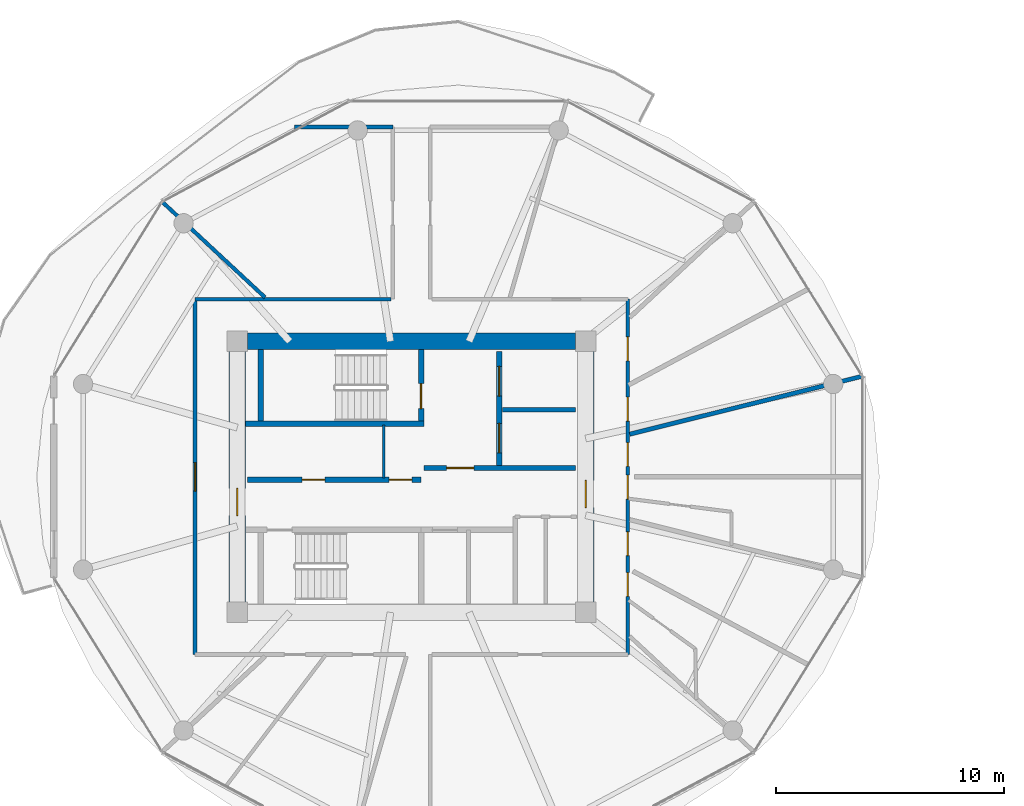
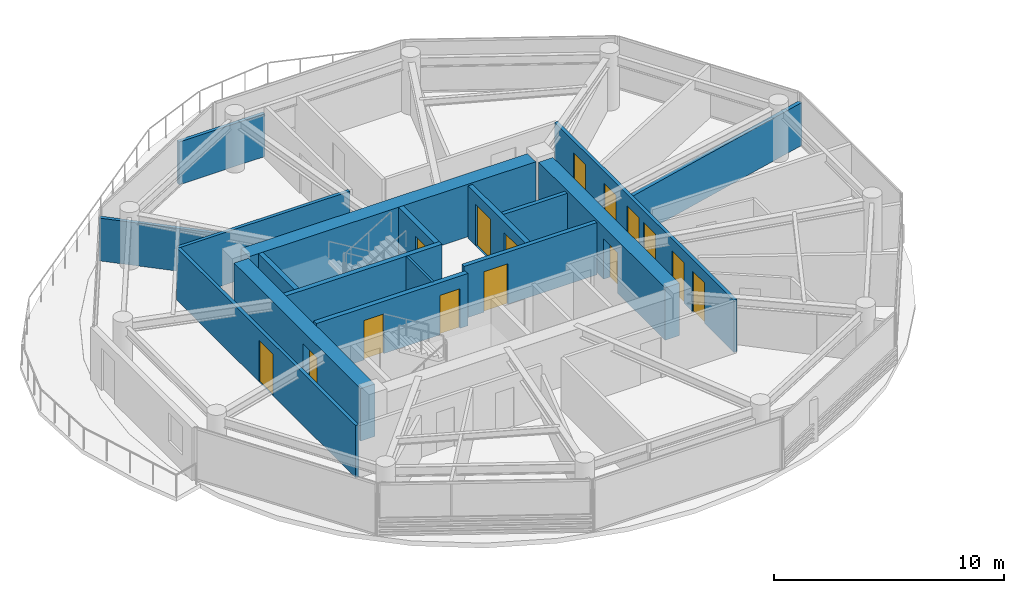
# One storey, part 14 of 24: 17 walls, 15 doors, 15 openings.
"""IFC4 building model written with IfcOpenShell, lengths in metres."""

from ifc_helpers import new_model, si_unit, direction, frame, frame_2d, origin, place, context, subcontext, project, spatial, rectangle, extrude, source, transform, mapped, material, layer, layer_set, type_object, type_shapes, element, fill, save


model = new_model("IFC4")

# Units and contexts
model_context = context("Model", 3, precision=1e-05, world=origin(), true_north=direction((0.0, 1.0)))
body_context = subcontext(model_context, "Body", "Model", "MODEL_VIEW")
ifc_project = project(units=[si_unit("LENGTHUNIT", "METRE"), si_unit("AREAUNIT", "SQUARE_METRE"), si_unit("VOLUMEUNIT", "CUBIC_METRE"), si_unit("PLANEANGLEUNIT", "RADIAN"), si_unit("MASSUNIT", "GRAM", prefix="KILO")], contexts=[model_context])

# Site, building, storey
site_placement = place(None, origin())
site = spatial("IfcSite", under=ifc_project, at=site_placement, CompositionType="ELEMENT")
building_placement = place(site_placement, origin())
building = spatial("IfcBuilding", under=site, at=building_placement, Name="Norrkilde Senior Care Towers", CompositionType="ELEMENT")
storey_placement = place(building_placement, frame((0.0, 0.0, 90.14990234375)))
storey = spatial("IfcBuildingStorey", under=building, at=storey_placement, Name="L27", CompositionType="ELEMENT", Elevation=90.14990234375)

# Wall
ifc_material_1 = material(Name="Concrete C60/75", Category="concrete")
ifc_layer_1 = layer(ifc_material_1, 0.719970703125)
ifc_layer_set_1 = layer_set([ifc_layer_1], Name="Concrete C60/75")
wall_type_1 = type_object("IfcWallType", Name="Core Shear Wall Z2 720", PredefinedType="SHEAR", material=ifc_layer_set_1)
shared_shape_1 = source(origin(), body_context, "Body", "SweptSolid", [
    extrude(rectangle(XDim=14.39990234375, YDim=0.719970703125, at=frame_2d((7.199951171875, 0.0))), origin(), (0.0, 0.0, 1.0), 2.7900390625),
])
wall_1_placement = place(storey_placement, frame((-35.199951171875, 5.949951171875, 0.0), z_axis=(0.0, 0.0, 1.0), x_axis=(1.0, 0.0, 0.0)))
element("IfcWall", 1, at=wall_1_placement, inside=storey, type_object=wall_type_1, Name="L27 Core W North Shear Wall", PredefinedType="SHEAR", context=body_context, shape_type="MappedRepresentation", body=[
    mapped(shared_shape_1, transform((0.0, 0.0, 0.0), x_axis=(1.0, 0.0, 0.0), y_axis=(0.0, 1.0, 0.0), z_axis=(0.0, 0.0, 1.0), scale=1.0)),
])

# Wall, opening, door
shared_shape_2 = source(origin(), body_context, "Body", "SweptSolid", [
    extrude(rectangle(XDim=11.0, YDim=0.719970703125, at=frame_2d((5.5, 0.0))), origin(), (0.0, 0.0, 1.0), 2.7900390625),
])
type_shapes(wall_type_1, [shared_shape_1, shared_shape_2])
wall_2_placement = place(storey_placement, frame((-35.64990234375, -5.5, 0.0), z_axis=(0.0, 0.0, 1.0), x_axis=(0.0, 1.0, 0.0)))
wall_2 = element("IfcWall", 2, at=wall_2_placement, inside=storey, type_object=wall_type_1, Name="L27 Core W West Shear Wall", PredefinedType="SHEAR", context=body_context, shape_type="MappedRepresentation", body=[
    mapped(shared_shape_2, transform((0.0, 0.0, 0.0), x_axis=(1.0, 0.0, 0.0), y_axis=(0.0, 1.0, 0.0), z_axis=(0.0, 0.0, 1.0), scale=1.0)),
])
opening_1_placement = place(wall_2_placement, frame((3.800048828125, 0.0, 0.0)))
opening_1 = element("IfcOpeningElement", 3, at=opening_1_placement, cuts=wall_2, Name="Opening D-04", PredefinedType="OPENING", context=body_context, shape_type="SweptSolid", body=[
    extrude(rectangle(XDim=1.199951171875, YDim=2.14990234375, at=frame_2d((0.60009765625, 1.074951171875))), frame((0.0, 0.369873046875, 0.0), z_axis=(0.0, -1.0, 0.0), x_axis=(1.0, 0.0, 0.0)), (0.0, 0.0, 1.0), 0.739990234375),
])
ifc_material_2 = material(Name="Galvanised Painted Steel", Category="steel")
door_type_1 = type_object("IfcDoorType", Name="Firefighting Lobby Fire Door 1200x2150", OperationType="NOTDEFINED", PredefinedType="DOOR", material=ifc_material_2)
shared_shape_3 = source(origin(), body_context, "Body", "SweptSolid", [
    extrude(rectangle(XDim=1.199951171875, YDim=2.14990234375, at=frame_2d((0.60009765625, 1.074951171875))), frame((0.0, 0.02490234375, 0.0), z_axis=(0.0, -1.0, 0.0), x_axis=(1.0, 0.0, 0.0)), (0.0, 0.0, 1.0), 0.050048828125),
])
type_shapes(door_type_1, [shared_shape_3])
door_1_placement = place(opening_1_placement, frame((1.199951171875, 0.0, 0.0), z_axis=(0.0, 0.0, 1.0), x_axis=(-1.0, 0.0, 0.0)))
door_1 = element("IfcDoor", 4, at=door_1_placement, inside=storey, type_object=door_type_1, Name="L27 Core W West Portal Door", OperationType="SINGLE_SWING_LEFT", OverallHeight=2.14990234375, OverallWidth=1.199951171875, PredefinedType="DOOR", context=body_context, shape_type="MappedRepresentation", body=[
    mapped(shared_shape_3, transform((0.0, 0.0, 0.0), x_axis=(1.0, 0.0, 0.0), y_axis=(0.0, 1.0, 0.0), z_axis=(0.0, 0.0, 1.0), scale=1.0)),
])
fill(opening_1, door_1)

wall_3_placement = place(storey_placement, frame((-20.35009765625, 5.5, 0.0), z_axis=(0.0, 0.0, 1.0), x_axis=(0.0, -1.0, 0.0)))
wall_3 = element("IfcWall", 5, at=wall_3_placement, inside=storey, type_object=wall_type_1, Name="L27 Core W East Shear Wall", PredefinedType="SHEAR", context=body_context, shape_type="MappedRepresentation", body=[
    mapped(shared_shape_2, transform((0.0, 0.0, 0.0), x_axis=(1.0, 0.0, 0.0), y_axis=(0.0, 1.0, 0.0), z_axis=(0.0, 0.0, 1.0), scale=1.0)),
])
opening_2_placement = place(wall_3_placement, frame((5.64990234375, 0.0, 0.0)))
opening_2 = element("IfcOpeningElement", 6, at=opening_2_placement, cuts=wall_3, Name="Opening D-04", PredefinedType="OPENING", context=body_context, shape_type="SweptSolid", body=[
    extrude(rectangle(XDim=1.199951171875, YDim=2.14990234375, at=frame_2d((0.60009765625, 1.074951171875))), frame((0.0, 0.369873046875, 0.0), z_axis=(0.0, -1.0, 0.0), x_axis=(1.0, 0.0, 0.0)), (0.0, 0.0, 1.0), 0.739990234375),
])
door_2_placement = place(opening_2_placement, frame((1.199951171875, 0.0, 0.0), z_axis=(0.0, 0.0, 1.0), x_axis=(-1.0, 0.0, 0.0)))
door_2 = element("IfcDoor", 7, at=door_2_placement, inside=storey, type_object=door_type_1, Name="L27 Core W East Portal Door", OperationType="SINGLE_SWING_RIGHT", OverallHeight=2.14990234375, OverallWidth=1.199951171875, PredefinedType="DOOR", context=body_context, shape_type="MappedRepresentation", body=[
    mapped(shared_shape_3, transform((0.0, 0.0, 0.0), x_axis=(1.0, 0.0, 0.0), y_axis=(0.0, 1.0, 0.0), z_axis=(0.0, 0.0, 1.0), scale=1.0)),
])
fill(opening_2, door_2)

# Wall, openings, doors
ifc_material_3 = material(Name="Concrete C45/55", Category="concrete")
ifc_layer_2 = layer(ifc_material_3, 0.239990234375)
ifc_layer_set_2 = layer_set([ifc_layer_2], Name="Concrete C45/55")
wall_type_2 = type_object("IfcWallType", Name="Lift and Plant Rated Enclosure Partition 240", PredefinedType="PARTITIONING", material=ifc_layer_set_2)
shared_shape_4 = source(origin(), body_context, "Body", "SweptSolid", [
    extrude(rectangle(XDim=5.0, YDim=0.239990234375, at=frame_2d((2.5, 0.0))), origin(), (0.0, 0.0, 1.0), 2.775146484375),
])
wall_4_placement = place(storey_placement, frame((-24.139892578125, 0.5, 0.0), z_axis=(0.0, 0.0, 1.0), x_axis=(0.0, 1.0, 0.0)))
wall_4 = element("IfcWall", 8, at=wall_4_placement, inside=storey, type_object=wall_type_2, Name="WL-INT-L27-W-FFLE", PredefinedType="PARTITIONING", context=body_context, shape_type="MappedRepresentation", body=[
    mapped(shared_shape_4, transform((0.0, 0.0, 0.0), x_axis=(1.0, 0.0, 0.0), y_axis=(0.0, 1.0, 0.0), z_axis=(0.0, 0.0, 1.0), scale=1.0)),
])
opening_3_placement = place(wall_4_placement, frame((3.050048828125, 0.0, 0.0)))
opening_3 = element("IfcOpeningElement", 9, at=opening_3_placement, cuts=wall_4, Name="Opening LD-02", PredefinedType="OPENING", context=body_context, shape_type="SweptSolid", body=[
    extrude(rectangle(XDim=1.300048828125, YDim=2.199951171875, at=frame_2d((0.64990234375, 1.10009765625))), frame((0.0, 0.1298828125, 0.0), z_axis=(0.0, -1.0, 0.0), x_axis=(1.0, 0.0, 0.0)), (0.0, 0.0, 1.0), 0.260009765625),
])
opening_4_placement = place(wall_4_placement, frame((0.550048828125, 0.0, 0.0)))
opening_4 = element("IfcOpeningElement", 10, at=opening_4_placement, cuts=wall_4, Name="Opening LD-02", PredefinedType="OPENING", context=body_context, shape_type="SweptSolid", body=[
    extrude(rectangle(XDim=1.300048828125, YDim=2.199951171875, at=frame_2d((0.64990234375, 1.10009765625))), frame((0.0, 0.1298828125, 0.0), z_axis=(0.0, -1.0, 0.0), x_axis=(1.0, 0.0, 0.0)), (0.0, 0.0, 1.0), 0.260009765625),
])
ifc_material_4 = material(Name="Stainless Steel", Category="steel")
door_type_2 = type_object("IfcDoorType", Name="Stretcher and FFL Landing Sliding Door 1300x2200", OperationType="NOTDEFINED", PredefinedType="DOOR", material=ifc_material_4)
shared_shape_5 = source(origin(), body_context, "Body", "SweptSolid", [
    extrude(rectangle(XDim=1.300048828125, YDim=2.199951171875, at=frame_2d((0.64990234375, 1.10009765625))), frame((0.0, 0.02490234375, 0.0), z_axis=(0.0, -1.0, 0.0), x_axis=(1.0, 0.0, 0.0)), (0.0, 0.0, 1.0), 0.050048828125),
])
type_shapes(door_type_2, [shared_shape_5])
door_3_placement = place(opening_3_placement, origin())
door_3 = element("IfcDoor", 11, at=door_3_placement, inside=storey, type_object=door_type_2, Name="L27 Firefighting Lift W1 Landing Door", OperationType="SLIDING_TO_LEFT", OverallHeight=2.199951171875, OverallWidth=1.300048828125, PredefinedType="DOOR", context=body_context, shape_type="MappedRepresentation", body=[
    mapped(shared_shape_5, transform((0.0, 0.0, 0.0), x_axis=(1.0, 0.0, 0.0), y_axis=(0.0, 1.0, 0.0), z_axis=(0.0, 0.0, 1.0), scale=1.0)),
])
fill(opening_3, door_3)
door_4_placement = place(opening_4_placement, origin())
door_4 = element("IfcDoor", 12, at=door_4_placement, inside=storey, type_object=door_type_2, Name="L27 Stretcher Lift W1 Landing Door", OperationType="SLIDING_TO_RIGHT", OverallHeight=2.199951171875, OverallWidth=1.300048828125, PredefinedType="DOOR", context=body_context, shape_type="MappedRepresentation", body=[
    mapped(shared_shape_5, transform((0.0, 0.0, 0.0), x_axis=(1.0, 0.0, 0.0), y_axis=(0.0, 1.0, 0.0), z_axis=(0.0, 0.0, 1.0), scale=1.0)),
])
fill(opening_4, door_4)

# Wall
ifc_layer_3 = layer(ifc_material_3, 0.199951171875)
ifc_layer_set_3 = layer_set([ifc_layer_3], Name="Concrete C45/55")
wall_type_3 = type_object("IfcWallType", Name="Shaft Division and Plant Partition 200", PredefinedType="PARTITIONING", material=ifc_layer_set_3)
shared_shape_6 = source(origin(), body_context, "Body", "SweptSolid", [
    extrude(rectangle(XDim=3.199951171875, YDim=0.199951171875, at=frame_2d((1.60009765625, 0.0))), origin(), (0.0, 0.0, 1.0), 2.775146484375),
])
type_shapes(wall_type_3, [shared_shape_6])
wall_5_placement = place(storey_placement, frame((-24.0, 2.949951171875, 0.0), z_axis=(0.0, 0.0, 1.0), x_axis=(1.0, 0.0, 0.0)))
element("IfcWall", 13, at=wall_5_placement, inside=storey, type_object=wall_type_3, Name="WL-INT-L27-W-FFLDIV", PredefinedType="PARTITIONING", context=body_context, shape_type="MappedRepresentation", body=[
    mapped(shared_shape_6, transform((0.0, 0.0, 0.0), x_axis=(1.0, 0.0, 0.0), y_axis=(0.0, 1.0, 0.0), z_axis=(0.0, 0.0, 1.0), scale=1.0)),
])

# Wall, opening, door
ifc_layer_4 = layer(ifc_material_3, 0.2099609375)
ifc_layer_set_4 = layer_set([ifc_layer_4], Name="Concrete C45/55")
wall_type_4 = type_object("IfcWallType", Name="Firefighting Lobby Wall 210", PredefinedType="PARTITIONING", material=ifc_layer_set_4)
shared_shape_7 = source(origin(), body_context, "Body", "SweptSolid", [
    extrude(rectangle(XDim=6.659912109375, YDim=0.2099609375, at=frame_2d((3.330078125, 0.0))), origin(), (0.0, 0.0, 1.0), 2.775146484375),
])
type_shapes(wall_type_4, [shared_shape_7])
wall_6_placement = place(storey_placement, frame((-27.4599609375, 0.389892578125, 0.0), z_axis=(0.0, 0.0, 1.0), x_axis=(1.0, 0.0, 0.0)))
wall_6 = element("IfcWall", 14, at=wall_6_placement, inside=storey, type_object=wall_type_4, Name="WL-INT-L27-W-FFLS", PredefinedType="PARTITIONING", context=body_context, shape_type="MappedRepresentation", body=[
    mapped(shared_shape_7, transform((0.0, 0.0, 0.0), x_axis=(1.0, 0.0, 0.0), y_axis=(0.0, 1.0, 0.0), z_axis=(0.0, 0.0, 1.0), scale=1.0)),
])
opening_5_placement = place(wall_6_placement, frame((1.0, 0.0, 0.0)))
opening_5 = element("IfcOpeningElement", 15, at=opening_5_placement, cuts=wall_6, Name="Opening D-04", PredefinedType="OPENING", context=body_context, shape_type="SweptSolid", body=[
    extrude(rectangle(XDim=1.199951171875, YDim=2.14990234375, at=frame_2d((0.60009765625, 1.074951171875))), frame((0.0, 0.114990234375, 0.0), z_axis=(0.0, -1.0, 0.0), x_axis=(1.0, 0.0, 0.0)), (0.0, 0.0, 1.0), 0.22998046875),
])
door_5_placement = place(opening_5_placement, frame((1.199951171875, 0.0, 0.0), z_axis=(0.0, 0.0, 1.0), x_axis=(-1.0, 0.0, 0.0)))
door_5 = element("IfcDoor", 16, at=door_5_placement, inside=storey, type_object=door_type_1, Name="L27 Firefighting Lobby W Door", OperationType="SINGLE_SWING_LEFT", OverallHeight=2.14990234375, OverallWidth=1.199951171875, PredefinedType="DOOR", context=body_context, shape_type="MappedRepresentation", body=[
    mapped(shared_shape_3, transform((0.0, 0.0, 0.0), x_axis=(1.0, 0.0, 0.0), y_axis=(0.0, 1.0, 0.0), z_axis=(0.0, 0.0, 1.0), scale=1.0)),
])
fill(opening_5, door_5)

# Wall, openings, doors
shared_shape_8 = source(origin(), body_context, "Body", "SweptSolid", [
    extrude(rectangle(XDim=7.619873046875, YDim=0.239990234375, at=frame_2d((3.81005859375, 0.0))), origin(), (0.0, 0.0, 1.0), 2.775146484375),
])
type_shapes(wall_type_2, [shared_shape_4, shared_shape_8])
wall_7_placement = place(storey_placement, frame((-35.199951171875, -0.1298828125, 0.0), z_axis=(0.0, 0.0, 1.0), x_axis=(1.0, 0.0, 0.0)))
wall_7 = element("IfcWall", 17, at=wall_7_placement, inside=storey, type_object=wall_type_2, Name="WL-INT-L27-W-PKAS", PredefinedType="PARTITIONING", context=body_context, shape_type="MappedRepresentation", body=[
    mapped(shared_shape_8, transform((0.0, 0.0, 0.0), x_axis=(1.0, 0.0, 0.0), y_axis=(0.0, 1.0, 0.0), z_axis=(0.0, 0.0, 1.0), scale=1.0)),
])
opening_6_placement = place(wall_7_placement, frame((6.219970703125, 0.0, 0.0)))
opening_6 = element("IfcOpeningElement", 18, at=opening_6_placement, cuts=wall_7, Name="Opening D-10", PredefinedType="OPENING", context=body_context, shape_type="SweptSolid", body=[
    extrude(rectangle(XDim=1.0, YDim=2.10009765625, at=frame_2d((0.5, 1.050048828125))), frame((0.0, 0.1298828125, 0.0), z_axis=(0.0, -1.0, 0.0), x_axis=(1.0, 0.0, 0.0)), (0.0, 0.0, 1.0), 0.260009765625),
])
opening_7_placement = place(wall_7_placement, frame((2.39990234375, 0.0, 0.0)))
opening_7 = element("IfcOpeningElement", 19, at=opening_7_placement, cuts=wall_7, Name="Opening D-10", PredefinedType="OPENING", context=body_context, shape_type="SweptSolid", body=[
    extrude(rectangle(XDim=1.0, YDim=2.10009765625, at=frame_2d((0.5, 1.050048828125))), frame((0.0, 0.1298828125, 0.0), z_axis=(0.0, -1.0, 0.0), x_axis=(1.0, 0.0, 0.0)), (0.0, 0.0, 1.0), 0.260009765625),
])
door_type_3 = type_object("IfcDoorType", Name="Plant and Riser Rated Door 1000x2100", OperationType="NOTDEFINED", PredefinedType="DOOR", material=ifc_material_2)
shared_shape_9 = source(origin(), body_context, "Body", "SweptSolid", [
    extrude(rectangle(XDim=1.0, YDim=2.10009765625, at=frame_2d((0.5, 1.050048828125))), frame((0.0, 0.02490234375, 0.0), z_axis=(0.0, -1.0, 0.0), x_axis=(1.0, 0.0, 0.0)), (0.0, 0.0, 1.0), 0.050048828125),
])
type_shapes(door_type_3, [shared_shape_9])
door_6_placement = place(opening_6_placement, frame((1.0, 0.0, 0.0), z_axis=(0.0, 0.0, 1.0), x_axis=(-1.0, 0.0, 0.0)))
door_6 = element("IfcDoor", 20, at=door_6_placement, inside=storey, type_object=door_type_3, Name="L27 Electrical Riser W Door", OperationType="SINGLE_SWING_LEFT", OverallHeight=2.10009765625, OverallWidth=1.0, PredefinedType="DOOR", context=body_context, shape_type="MappedRepresentation", body=[
    mapped(shared_shape_9, transform((0.0, 0.0, 0.0), x_axis=(1.0, 0.0, 0.0), y_axis=(0.0, 1.0, 0.0), z_axis=(0.0, 0.0, 1.0), scale=1.0)),
])
fill(opening_6, door_6)
door_7_placement = place(opening_7_placement, frame((1.0, 0.0, 0.0), z_axis=(0.0, 0.0, 1.0), x_axis=(-1.0, 0.0, 0.0)))
door_7 = element("IfcDoor", 21, at=door_7_placement, inside=storey, type_object=door_type_3, Name="L27 Clean Supply Store W Door", OperationType="SINGLE_SWING_LEFT", OverallHeight=2.10009765625, OverallWidth=1.0, PredefinedType="DOOR", context=body_context, shape_type="MappedRepresentation", body=[
    mapped(shared_shape_9, transform((0.0, 0.0, 0.0), x_axis=(1.0, 0.0, 0.0), y_axis=(0.0, 1.0, 0.0), z_axis=(0.0, 0.0, 1.0), scale=1.0)),
])
fill(opening_7, door_7)

# Wall
ifc_material_5 = material(Name="Gypsum Acoustic Board")
ifc_layer_5 = layer(ifc_material_5, 0.114990234375)
ifc_layer_set_5 = layer_set([ifc_layer_5], Name="Gypsum Acoustic Board")
wall_type_5 = type_object("IfcWallType", Name="Internal Room Partition 115", PredefinedType="PARTITIONING", material=ifc_layer_set_5)
shared_shape_10 = source(origin(), body_context, "Body", "SweptSolid", [
    extrude(rectangle(XDim=2.330078125, YDim=0.114990234375, at=frame_2d((1.1650390625, 0.0))), origin(), (0.0, 0.0, 1.0), 2.775146484375),
])
type_shapes(wall_type_5, [shared_shape_10])
wall_8_placement = place(storey_placement, frame((-29.2099609375, -0.050048828125, 0.0), z_axis=(0.0, 0.0, 1.0), x_axis=(0.0, 1.0, 0.0)))
element("IfcWall", 22, at=wall_8_placement, inside=storey, type_object=wall_type_5, Name="WL-INT-L27-W-RISW", PredefinedType="PARTITIONING", context=body_context, shape_type="MappedRepresentation", body=[
    mapped(shared_shape_10, transform((0.0, 0.0, 0.0), x_axis=(1.0, 0.0, 0.0), y_axis=(0.0, 1.0, 0.0), z_axis=(0.0, 0.0, 1.0), scale=1.0)),
])

# Wall, opening, door
ifc_layer_6 = layer(ifc_material_5, 0.1650390625)
ifc_layer_set_6 = layer_set([ifc_layer_6], Name="Gypsum Acoustic Board")
wall_type_6 = type_object("IfcWallType", Name="Corridor Rated Partition 165", PredefinedType="PARTITIONING", material=ifc_layer_set_6)
shared_shape_11 = source(origin(), body_context, "Body", "SweptSolid", [
    extrude(rectangle(XDim=15.60009765625, YDim=0.1650390625, at=frame_2d((7.800048828125, 0.0))), origin(), (0.0, 0.0, 1.0), 2.775146484375),
])
wall_9_placement = place(storey_placement, frame((-37.5, -7.800048828125, 0.0), z_axis=(0.0, 0.0, 1.0), x_axis=(0.0, 1.0, 0.0)))
wall_9 = element("IfcWall", 23, at=wall_9_placement, inside=storey, type_object=wall_type_6, Name="WL-INT-L27-W-CRW-W-0", PredefinedType="PARTITIONING", context=body_context, shape_type="MappedRepresentation", body=[
    mapped(shared_shape_11, transform((0.0, 0.0, 0.0), x_axis=(1.0, 0.0, 0.0), y_axis=(0.0, 1.0, 0.0), z_axis=(0.0, 0.0, 1.0), scale=1.0)),
])
opening_8_placement = place(wall_9_placement, frame((7.175048828125, 0.0, 0.0)))
opening_8 = element("IfcOpeningElement", 24, at=opening_8_placement, cuts=wall_9, Name="Opening D-05", PredefinedType="OPENING", context=body_context, shape_type="SweptSolid", body=[
    extrude(rectangle(XDim=1.25, YDim=2.199951171875, at=frame_2d((0.625, 1.10009765625))), frame((0.0, 0.092529296875, 0.0), z_axis=(0.0, -1.0, 0.0), x_axis=(1.0, 0.0, 0.0)), (0.0, 0.0, 1.0), 0.18505859375),
])
ifc_material_6 = material(Name="Nordic Ash Timber", Category="wood")
door_type_4 = type_object("IfcDoorType", Name="Care Bedroom Bariatric Door 1250x2200", OperationType="NOTDEFINED", PredefinedType="DOOR", material=ifc_material_6)
shared_shape_12 = source(origin(), body_context, "Body", "SweptSolid", [
    extrude(rectangle(XDim=1.25, YDim=2.199951171875, at=frame_2d((0.625, 1.10009765625))), frame((0.0, 0.02490234375, 0.0), z_axis=(0.0, -1.0, 0.0), x_axis=(1.0, 0.0, 0.0)), (0.0, 0.0, 1.0), 0.050048828125),
])
type_shapes(door_type_4, [shared_shape_12])
door_8_placement = place(opening_8_placement, frame((1.25, 0.0, 0.0), z_axis=(0.0, 0.0, 1.0), x_axis=(-1.0, 0.0, 0.0)))
door_8 = element("IfcDoor", 25, at=door_8_placement, inside=storey, type_object=door_type_4, Name="L27 Resident Therapeutic Day Lounge Door", OperationType="SINGLE_SWING_LEFT", OverallHeight=2.199951171875, OverallWidth=1.25, PredefinedType="DOOR", context=body_context, shape_type="MappedRepresentation", body=[
    mapped(shared_shape_12, transform((0.0, 0.0, 0.0), x_axis=(1.0, 0.0, 0.0), y_axis=(0.0, 1.0, 0.0), z_axis=(0.0, 0.0, 1.0), scale=1.0)),
])
fill(opening_8, door_8)

# Wall, openings, doors
wall_10_placement = place(storey_placement, frame((-18.5, 7.800048828125, 0.0), z_axis=(0.0, 0.0, 1.0), x_axis=(0.0, -1.0, 0.0)))
wall_10 = element("IfcWall", 26, at=wall_10_placement, inside=storey, type_object=wall_type_6, Name="WL-INT-L27-W-CRW-E-0", PredefinedType="PARTITIONING", context=body_context, shape_type="MappedRepresentation", body=[
    mapped(shared_shape_11, transform((0.0, 0.0, 0.0), x_axis=(1.0, 0.0, 0.0), y_axis=(0.0, 1.0, 0.0), z_axis=(0.0, 0.0, 1.0), scale=1.0)),
])
opening_9_placement = place(wall_10_placement, frame((12.001953125, 0.0, 0.0)))
opening_9 = element("IfcOpeningElement", 27, at=opening_9_placement, cuts=wall_10, Name="Opening D-06", PredefinedType="OPENING", context=body_context, shape_type="SweptSolid", body=[
    extrude(rectangle(XDim=1.050048828125, YDim=2.14990234375, at=frame_2d((0.52490234375, 1.074951171875))), frame((0.0, 0.092529296875, 0.0), z_axis=(0.0, -1.0, 0.0), x_axis=(1.0, 0.0, 0.0)), (0.0, 0.0, 1.0), 0.18505859375),
])
opening_10_placement = place(wall_10_placement, frame((10.210693359375, 0.0, 0.0)))
opening_10 = element("IfcOpeningElement", 28, at=opening_10_placement, cuts=wall_10, Name="Opening D-06", PredefinedType="OPENING", context=body_context, shape_type="SweptSolid", body=[
    extrude(rectangle(XDim=1.050048828125, YDim=2.14990234375, at=frame_2d((0.52490234375, 1.074951171875))), frame((0.0, 0.092529296875, 0.0), z_axis=(0.0, -1.0, 0.0), x_axis=(1.0, 0.0, 0.0)), (0.0, 0.0, 1.0), 0.18505859375),
])
opening_11_placement = place(wall_10_placement, frame((7.721923828125, 0.0, 0.0)))
opening_11 = element("IfcOpeningElement", 29, at=opening_11_placement, cuts=wall_10, Name="Opening D-06", PredefinedType="OPENING", context=body_context, shape_type="SweptSolid", body=[
    extrude(rectangle(XDim=1.050048828125, YDim=2.14990234375, at=frame_2d((0.52490234375, 1.074951171875))), frame((0.0, 0.092529296875, 0.0), z_axis=(0.0, -1.0, 0.0), x_axis=(1.0, 0.0, 0.0)), (0.0, 0.0, 1.0), 0.18505859375),
])
opening_12_placement = place(wall_10_placement, frame((6.290771484375, 0.0, 0.0)))
opening_12 = element("IfcOpeningElement", 30, at=opening_12_placement, cuts=wall_10, Name="Opening D-06", PredefinedType="OPENING", context=body_context, shape_type="SweptSolid", body=[
    extrude(rectangle(XDim=1.050048828125, YDim=2.14990234375, at=frame_2d((0.52490234375, 1.074951171875))), frame((0.0, 0.092529296875, 0.0), z_axis=(0.0, -1.0, 0.0), x_axis=(1.0, 0.0, 0.0)), (0.0, 0.0, 1.0), 0.18505859375),
])
opening_13_placement = place(wall_10_placement, frame((4.296142578125, 0.0, 0.0)))
opening_13 = element("IfcOpeningElement", 31, at=opening_13_placement, cuts=wall_10, Name="Opening D-06", PredefinedType="OPENING", context=body_context, shape_type="SweptSolid", body=[
    extrude(rectangle(XDim=1.050048828125, YDim=2.14990234375, at=frame_2d((0.52490234375, 1.074951171875))), frame((0.0, 0.092529296875, 0.0), z_axis=(0.0, -1.0, 0.0), x_axis=(1.0, 0.0, 0.0)), (0.0, 0.0, 1.0), 0.18505859375),
])
opening_14_placement = place(wall_10_placement, frame((1.654052734375, 0.0, 0.0)))
opening_14 = element("IfcOpeningElement", 32, at=opening_14_placement, cuts=wall_10, Name="Opening D-06", PredefinedType="OPENING", context=body_context, shape_type="SweptSolid", body=[
    extrude(rectangle(XDim=1.050048828125, YDim=2.14990234375, at=frame_2d((0.52490234375, 1.074951171875))), frame((0.0, 0.092529296875, 0.0), z_axis=(0.0, -1.0, 0.0), x_axis=(1.0, 0.0, 0.0)), (0.0, 0.0, 1.0), 0.18505859375),
])
door_type_5 = type_object("IfcDoorType", Name="Apartment Entrance Fire Door 1050x2150", OperationType="NOTDEFINED", PredefinedType="DOOR", material=ifc_material_6)
shared_shape_13 = source(origin(), body_context, "Body", "SweptSolid", [
    extrude(rectangle(XDim=1.050048828125, YDim=2.14990234375, at=frame_2d((0.52490234375, 1.074951171875))), frame((0.0, 0.02490234375, 0.0), z_axis=(0.0, -1.0, 0.0), x_axis=(1.0, 0.0, 0.0)), (0.0, 0.0, 1.0), 0.050048828125),
])
type_shapes(door_type_5, [shared_shape_13])
door_9_placement = place(opening_9_placement, frame((1.050048828125, 0.0, 0.0), z_axis=(0.0, 0.0, 1.0), x_axis=(-1.0, 0.0, 0.0)))
door_9 = element("IfcDoor", 33, at=door_9_placement, inside=storey, type_object=door_type_5, Name="L27 Care Suite 2710A Entrance Door", OperationType="SINGLE_SWING_LEFT", OverallHeight=2.14990234375, OverallWidth=1.050048828125, PredefinedType="DOOR", context=body_context, shape_type="MappedRepresentation", body=[
    mapped(shared_shape_13, transform((0.0, 0.0, 0.0), x_axis=(1.0, 0.0, 0.0), y_axis=(0.0, 1.0, 0.0), z_axis=(0.0, 0.0, 1.0), scale=1.0)),
])
fill(opening_9, door_9)
door_10_placement = place(opening_10_placement, frame((1.050048828125, 0.0, 0.0), z_axis=(0.0, 0.0, 1.0), x_axis=(-1.0, 0.0, 0.0)))
door_10 = element("IfcDoor", 34, at=door_10_placement, inside=storey, type_object=door_type_5, Name="L27 Therapy Day Lounge 10 Door", OperationType="SINGLE_SWING_RIGHT", OverallHeight=2.14990234375, OverallWidth=1.050048828125, PredefinedType="DOOR", context=body_context, shape_type="MappedRepresentation", body=[
    mapped(shared_shape_13, transform((0.0, 0.0, 0.0), x_axis=(1.0, 0.0, 0.0), y_axis=(0.0, 1.0, 0.0), z_axis=(0.0, 0.0, 1.0), scale=1.0)),
])
fill(opening_10, door_10)
door_11_placement = place(opening_11_placement, frame((1.050048828125, 0.0, 0.0), z_axis=(0.0, 0.0, 1.0), x_axis=(-1.0, 0.0, 0.0)))
door_11 = element("IfcDoor", 35, at=door_11_placement, inside=storey, type_object=door_type_5, Name="L27 Care Suite 2711A Entrance Door", OperationType="SINGLE_SWING_RIGHT", OverallHeight=2.14990234375, OverallWidth=1.050048828125, PredefinedType="DOOR", context=body_context, shape_type="MappedRepresentation", body=[
    mapped(shared_shape_13, transform((0.0, 0.0, 0.0), x_axis=(1.0, 0.0, 0.0), y_axis=(0.0, 1.0, 0.0), z_axis=(0.0, 0.0, 1.0), scale=1.0)),
])
fill(opening_11, door_11)
door_12_placement = place(opening_12_placement, frame((1.050048828125, 0.0, 0.0), z_axis=(0.0, 0.0, 1.0), x_axis=(-1.0, 0.0, 0.0)))
door_12 = element("IfcDoor", 36, at=door_12_placement, inside=storey, type_object=door_type_5, Name="L27 Therapy Day Lounge 11 Door", OperationType="SINGLE_SWING_LEFT", OverallHeight=2.14990234375, OverallWidth=1.050048828125, PredefinedType="DOOR", context=body_context, shape_type="MappedRepresentation", body=[
    mapped(shared_shape_13, transform((0.0, 0.0, 0.0), x_axis=(1.0, 0.0, 0.0), y_axis=(0.0, 1.0, 0.0), z_axis=(0.0, 0.0, 1.0), scale=1.0)),
])
fill(opening_12, door_12)
door_13_placement = place(opening_13_placement, frame((1.050048828125, 0.0, 0.0), z_axis=(0.0, 0.0, 1.0), x_axis=(-1.0, 0.0, 0.0)))
door_13 = element("IfcDoor", 37, at=door_13_placement, inside=storey, type_object=door_type_5, Name="L27 Physiotherapy Clinic 0A Door", OperationType="SINGLE_SWING_LEFT", OverallHeight=2.14990234375, OverallWidth=1.050048828125, PredefinedType="DOOR", context=body_context, shape_type="MappedRepresentation", body=[
    mapped(shared_shape_13, transform((0.0, 0.0, 0.0), x_axis=(1.0, 0.0, 0.0), y_axis=(0.0, 1.0, 0.0), z_axis=(0.0, 0.0, 1.0), scale=1.0)),
])
fill(opening_13, door_13)
door_14_placement = place(opening_14_placement, frame((1.050048828125, 0.0, 0.0), z_axis=(0.0, 0.0, 1.0), x_axis=(-1.0, 0.0, 0.0)))
door_14 = element("IfcDoor", 38, at=door_14_placement, inside=storey, type_object=door_type_5, Name="L27 Assessment Clinic 0B Door", OperationType="SINGLE_SWING_RIGHT", OverallHeight=2.14990234375, OverallWidth=1.050048828125, PredefinedType="DOOR", context=body_context, shape_type="MappedRepresentation", body=[
    mapped(shared_shape_13, transform((0.0, 0.0, 0.0), x_axis=(1.0, 0.0, 0.0), y_axis=(0.0, 1.0, 0.0), z_axis=(0.0, 0.0, 1.0), scale=1.0)),
])
fill(opening_14, door_14)

# Walls
ifc_layer_7 = layer(ifc_material_3, 0.239990234375)
ifc_layer_set_7 = layer_set([ifc_layer_7], Name="Concrete C45/55")
wall_type_7 = type_object("IfcWallType", Name="Shaft and Stair Enclosure Wall 240", PredefinedType="PARTITIONING", material=ifc_layer_set_7)
shared_shape_14 = source(origin(), body_context, "Body", "SweptSolid", [
    extrude(rectangle(XDim=7.830078125, YDim=0.239990234375, at=frame_2d((3.9150390625, 0.0))), origin(), (0.0, 0.0, 1.0), 2.7900390625),
])
wall_11_placement = place(storey_placement, frame((-35.2900390625, 2.330078125, 0.0), z_axis=(0.0, 0.0, 1.0), x_axis=(1.0, 0.0, 0.0)))
element("IfcWall", 39, at=wall_11_placement, inside=storey, type_object=wall_type_7, Name="WL-INT-L27-W-ST1S", PredefinedType="PARTITIONING", context=body_context, shape_type="MappedRepresentation", body=[
    mapped(shared_shape_14, transform((0.0, 0.0, 0.0), x_axis=(1.0, 0.0, 0.0), y_axis=(0.0, 1.0, 0.0), z_axis=(0.0, 0.0, 1.0), scale=1.0)),
])
shared_shape_15 = source(origin(), body_context, "Body", "SweptSolid", [
    extrude(rectangle(XDim=3.14013671875, YDim=0.239990234375, at=frame_2d((1.570068359375, 0.0))), origin(), (0.0, 0.0, 1.0), 2.7900390625),
])
type_shapes(wall_type_7, [shared_shape_14, shared_shape_15])
wall_12_placement = place(storey_placement, frame((-34.6201171875, 2.449951171875, 0.0), z_axis=(0.0, 0.0, 1.0), x_axis=(0.0, 1.0, 0.0)))
element("IfcWall", 40, at=wall_12_placement, inside=storey, type_object=wall_type_7, Name="WL-INT-L27-W-ST1W", PredefinedType="PARTITIONING", context=body_context, shape_type="MappedRepresentation", body=[
    mapped(shared_shape_15, transform((0.0, 0.0, 0.0), x_axis=(1.0, 0.0, 0.0), y_axis=(0.0, 1.0, 0.0), z_axis=(0.0, 0.0, 1.0), scale=1.0)),
])

# Wall, opening, door
wall_13_placement = place(storey_placement, frame((-27.580078125, 2.449951171875, 0.0), z_axis=(0.0, 0.0, 1.0), x_axis=(0.0, 1.0, 0.0)))
wall_13 = element("IfcWall", 41, at=wall_13_placement, inside=storey, type_object=wall_type_7, Name="WL-INT-L27-W-ST1E", PredefinedType="PARTITIONING", context=body_context, shape_type="MappedRepresentation", body=[
    mapped(shared_shape_15, transform((0.0, 0.0, 0.0), x_axis=(1.0, 0.0, 0.0), y_axis=(0.0, 1.0, 0.0), z_axis=(0.0, 0.0, 1.0), scale=1.0)),
])
opening_15_placement = place(wall_13_placement, frame((0.550048828125, 0.0, 0.0)))
opening_15 = element("IfcOpeningElement", 42, at=opening_15_placement, cuts=wall_13, Name="Opening D-03", PredefinedType="OPENING", context=body_context, shape_type="SweptSolid", body=[
    extrude(rectangle(XDim=1.10009765625, YDim=2.14990234375, at=frame_2d((0.550048828125, 1.074951171875))), frame((0.0, 0.1298828125, 0.0), z_axis=(0.0, -1.0, 0.0), x_axis=(1.0, 0.0, 0.0)), (0.0, 0.0, 1.0), 0.260009765625),
])
door_type_6 = type_object("IfcDoorType", Name="Stairwell Protected Fire Door 1100x2150", OperationType="NOTDEFINED", PredefinedType="DOOR", material=ifc_material_2)
shared_shape_16 = source(origin(), body_context, "Body", "SweptSolid", [
    extrude(rectangle(XDim=1.10009765625, YDim=2.14990234375, at=frame_2d((0.550048828125, 1.074951171875))), frame((0.0, 0.02490234375, 0.0), z_axis=(0.0, -1.0, 0.0), x_axis=(1.0, 0.0, 0.0)), (0.0, 0.0, 1.0), 0.050048828125),
])
type_shapes(door_type_6, [shared_shape_16])
door_15_placement = place(opening_15_placement, origin())
door_15 = element("IfcDoor", 43, at=door_15_placement, inside=storey, type_object=door_type_6, Name="L27 Stair W1 Fire Door", OperationType="SINGLE_SWING_LEFT", OverallHeight=2.14990234375, OverallWidth=1.10009765625, PredefinedType="DOOR", context=body_context, shape_type="MappedRepresentation", body=[
    mapped(shared_shape_16, transform((0.0, 0.0, 0.0), x_axis=(1.0, 0.0, 0.0), y_axis=(0.0, 1.0, 0.0), z_axis=(0.0, 0.0, 1.0), scale=1.0)),
])
fill(opening_15, door_15)

# Walls
ifc_layer_8 = layer(ifc_material_5, 0.18994140625)
ifc_layer_set_8 = layer_set([ifc_layer_8], Name="Gypsum Acoustic Board")
wall_type_8 = type_object("IfcWallType", Name="Unit Demising Acoustic Wall 190", PredefinedType="PARTITIONING", material=ifc_layer_set_8)
shared_shape_17 = source(origin(), body_context, "Body", "SweptSolid", [
    extrude(rectangle(XDim=10.5556640625, YDim=0.18994140625, at=frame_2d((5.27783203125, 0.0))), origin(), (0.0, 0.0, 1.0), 2.275146484375),
])
type_shapes(wall_type_8, [shared_shape_17])
wall_14_placement = place(storey_placement, frame((-18.419921875, 1.875, 0.0), z_axis=(0.0, 0.0, 1.0), x_axis=(0.970363857851, 0.241648470667, 0.0)))
element("IfcWall", 44, at=wall_14_placement, inside=storey, type_object=wall_type_8, Name="WL-INT-L27-W-DEM-00-0", PredefinedType="PARTITIONING", context=body_context, shape_type="MappedRepresentation", body=[
    mapped(shared_shape_17, transform((0.0, 0.0, 0.0), x_axis=(1.0, 0.0, 0.0), y_axis=(0.0, 1.0, 0.0), z_axis=(0.0, 0.0, 1.0), scale=1.0)),
])
shared_shape_18 = source(origin(), body_context, "Body", "SweptSolid", [
    extrude(rectangle(XDim=8.60009765625, YDim=0.1650390625, at=frame_2d((4.300048828125, 0.0))), origin(), (0.0, 0.0, 1.0), 2.775146484375),
])
wall_15_placement = place(storey_placement, frame((-37.5, 7.800048828125, 0.0), z_axis=(0.0, 0.0, 1.0), x_axis=(1.0, 0.0, 0.0)))
element("IfcWall", 45, at=wall_15_placement, inside=storey, type_object=wall_type_6, Name="WL-INT-L27-W-CRW-N-0", PredefinedType="PARTITIONING", context=body_context, shape_type="MappedRepresentation", body=[
    mapped(shared_shape_18, transform((0.0, 0.0, 0.0), x_axis=(1.0, 0.0, 0.0), y_axis=(0.0, 1.0, 0.0), z_axis=(0.0, 0.0, 1.0), scale=1.0)),
])
shared_shape_19 = source(origin(), body_context, "Body", "SweptSolid", [
    extrude(rectangle(XDim=6.186767578125, YDim=0.1650390625, at=frame_2d((3.09326171875, 0.0))), origin(), (0.0, 0.0, 1.0), 2.275146484375),
])
wall_16_placement = place(storey_placement, frame((-34.428955078125, 7.8798828125, 0.0), z_axis=(0.0, 0.0, 1.0), x_axis=(-0.732501077882, 0.680765870841, 0.0)))
element("IfcWall", 46, at=wall_16_placement, inside=storey, type_object=wall_type_6, Name="WL-INT-L27-W-DEM-04-0", PredefinedType="PARTITIONING", context=body_context, shape_type="MappedRepresentation", body=[
    mapped(shared_shape_19, transform((0.0, 0.0, 0.0), x_axis=(1.0, 0.0, 0.0), y_axis=(0.0, 1.0, 0.0), z_axis=(0.0, 0.0, 1.0), scale=1.0)),
])
shared_shape_20 = source(origin(), body_context, "Body", "SweptSolid", [
    extrude(rectangle(XDim=4.306884765625, YDim=0.1650390625, at=frame_2d((2.1533203125, 0.0))), origin(), (0.0, 0.0, 1.0), 2.275146484375),
])
type_shapes(wall_type_6, [shared_shape_11, shared_shape_18, shared_shape_19, shared_shape_20])
wall_17_placement = place(storey_placement, frame((-33.126953125, 15.360107421875, 0.0), z_axis=(0.0, 0.0, 1.0), x_axis=(1.0, 0.0, 0.0)))
element("IfcWall", 47, at=wall_17_placement, inside=storey, type_object=wall_type_6, Name="WL-INT-L27-W-PKH-NWL-0", PredefinedType="PARTITIONING", context=body_context, shape_type="MappedRepresentation", body=[
    mapped(shared_shape_20, transform((0.0, 0.0, 0.0), x_axis=(1.0, 0.0, 0.0), y_axis=(0.0, 1.0, 0.0), z_axis=(0.0, 0.0, 1.0), scale=1.0)),
])

save(model, "model.ifc")
